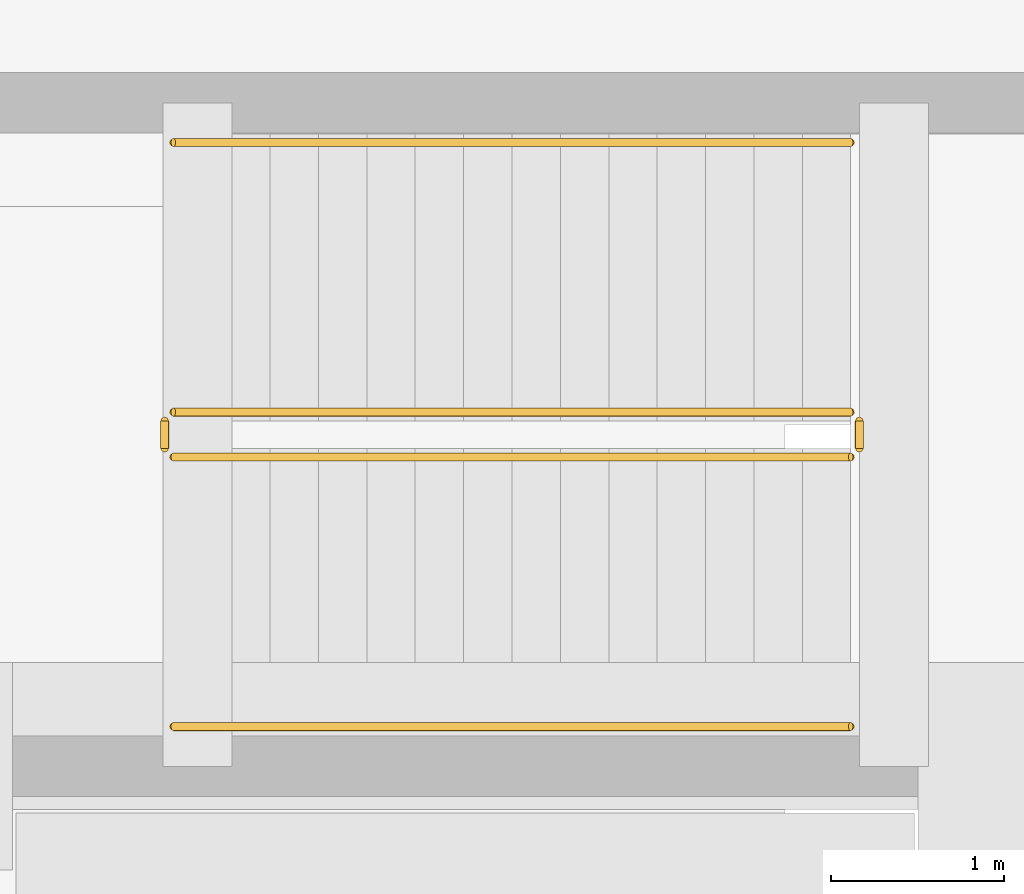
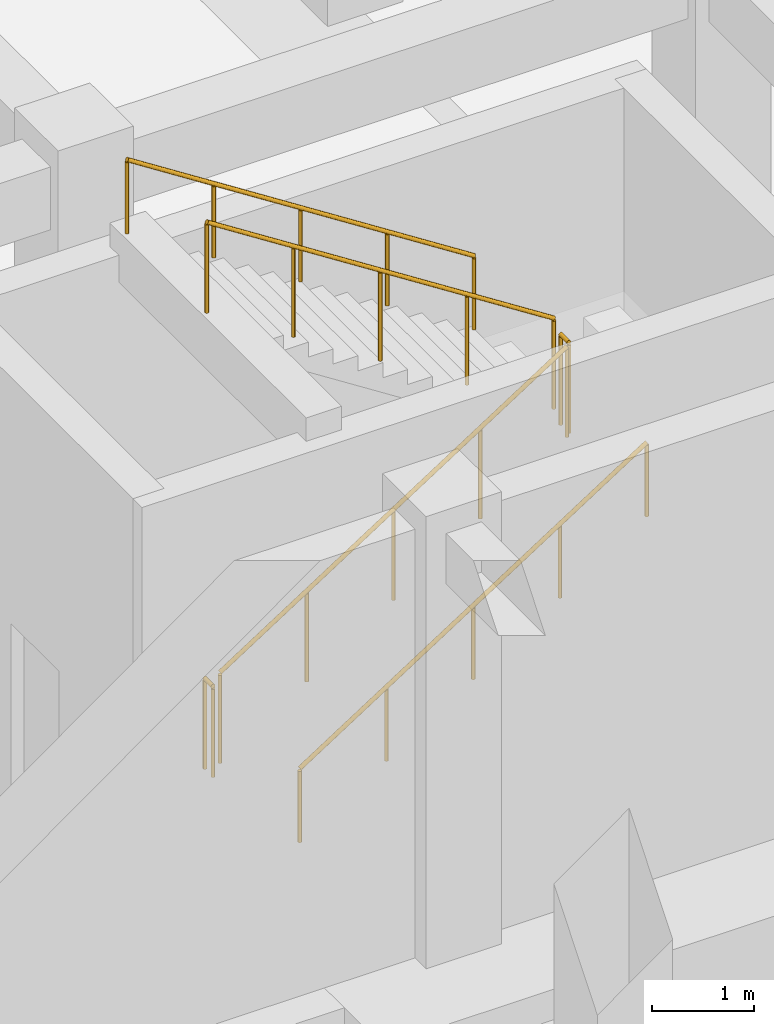
# One storey, part 25 of 26: 6 railings.
"""IFC4 building model written with IfcOpenShell, lengths in metres."""

import ifcopenshell
import ifcopenshell.guid

model = None  # the IFC model being written
_history = None  # IfcOwnerHistory: only IFC2X3 demands one
_inside = {}  # id of a spatial element -> (the spatial element, [elements in it])
_under = {}  # id of a project, library or spatial element -> (it, [spatial elements below it])
_declared = {}  # id of a project -> (the project, [libraries it declares])
_typed = {}  # id of a type object -> (the type object, [elements of that type])
_made_of = {}  # id of a material, layer set ... -> (it, [elements and type objects made of it])


def new_model(schema):
    """Start an empty IFC model of exactly this schema.

    Asked for "IFC4X3", IfcOpenShell would pick the latest addendum, in which some entities
    have other attributes; the version numbers below select the first issue.
    IFC2X3 requires an IfcOwnerHistory on every rooted entity: one is made here for all.
    """
    global model, _history
    if schema == "IFC4X3":
        model = ifcopenshell.file(schema_version=(4, 3, 0, 0))
    else:
        model = ifcopenshell.file(schema=schema)
    _inside.clear()
    _under.clear()
    _declared.clear()
    _typed.clear()
    _made_of.clear()
    _history = None
    if model.schema == "IFC2X3":
        org = make("IfcOrganization", Name="unknown")
        user = make(
            "IfcPersonAndOrganization",
            ThePerson=make("IfcPerson", FamilyName="unknown"),
            TheOrganization=org,
        )
        app = make(
            "IfcApplication",
            ApplicationDeveloper=org,
            Version="unknown",
            ApplicationFullName="unknown",
            ApplicationIdentifier="unknown",
        )
        _history = make(
            "IfcOwnerHistory",
            OwningUser=user,
            OwningApplication=app,
            ChangeAction="ADDED",
            CreationDate=0,
        )
    return model


def make(cls, **values):
    """One entity of the class cls with the attributes given. An attribute that is None is left unset."""
    return model.create_entity(
        cls, **{name: value for name, value in values.items() if value is not None}
    )


def rooted(cls, **values):
    """An entity with a GlobalId (a new one), such as an element, a storey or a relation."""
    return make(cls, GlobalId=ifcopenshell.guid.new(), OwnerHistory=_history, **values)


def si_unit(unit_type, name, prefix=None):
    """IfcSIUnit, for example si_unit("LENGTHUNIT", "METRE", prefix="MILLI")."""
    return make("IfcSIUnit", UnitType=unit_type, Prefix=prefix, Name=name)


def assignment(units):
    """IfcUnitAssignment: the units of a project."""
    return None if units is None else make("IfcUnitAssignment", Units=units)


def point(xyz):
    """IfcCartesianPoint."""
    return None if xyz is None else make("IfcCartesianPoint", Coordinates=xyz)


def direction(xyz):
    """IfcDirection."""
    return None if xyz is None else make("IfcDirection", DirectionRatios=xyz)


def frame(location, z_axis=None, x_axis=None):
    """IfcAxis2Placement3D, a coordinate frame: its origin and axes. An axis left out is left unset."""
    return make(
        "IfcAxis2Placement3D",
        Location=point(location),
        Axis=direction(z_axis),
        RefDirection=direction(x_axis),
    )


def frame_2d(location, x_axis=None):
    """IfcAxis2Placement2D, a coordinate frame in the plane: its origin and x axis."""
    return make(
        "IfcAxis2Placement2D", Location=point(location), RefDirection=direction(x_axis)
    )


def origin():
    """The frame at (0, 0, 0) with its axes left unset."""
    return frame((0.0, 0.0, 0.0))


def origin_2d():
    """The frame at (0, 0) in the plane with its x axis left unset."""
    return frame_2d((0.0, 0.0))


def place(relative_to, where):
    """IfcLocalPlacement: puts the frame where relative to a parent placement (None: the world)."""
    return make(
        "IfcLocalPlacement", PlacementRelTo=relative_to, RelativePlacement=where
    )


def context(
    kind, dimensions, precision=None, world=None, true_north=None, identifier=None
):
    """IfcGeometricRepresentationContext, for example the 3D "Model" context."""
    return make(
        "IfcGeometricRepresentationContext",
        ContextIdentifier=identifier,
        ContextType=kind,
        CoordinateSpaceDimension=dimensions,
        Precision=precision,
        WorldCoordinateSystem=world,
        TrueNorth=true_north,
    )


def subcontext(parent, identifier, kind, view, scale=None):
    """IfcGeometricRepresentationSubContext, for example "Body" below "Model"."""
    return make(
        "IfcGeometricRepresentationSubContext",
        ContextIdentifier=identifier,
        ContextType=kind,
        ParentContext=parent,
        TargetScale=scale,
        TargetView=view,
    )


def project(units=None, contexts=None):
    """IfcProject with its units and contexts."""
    return rooted(
        "IfcProject",
        Name="project",
        RepresentationContexts=contexts,
        UnitsInContext=assignment(units),
    )


def spatial(cls, under=None, at=None, **own):
    """A site, building, storey or space (cls), placed at a placement, below another one or the project."""
    s = rooted(cls, ObjectPlacement=at, **own)
    if under is not None:
        _under.setdefault(under.id(), (under, []))[1].append(s)
    return s


def profile(cls, at=None, kind="AREA", **sizes):
    """A parametric profile (cls). Its sizes go by their IFC names, for example OverallWidth=200.0."""
    return make(cls, ProfileType=kind, Position=at, **sizes)


def circle(**sizes):
    """IfcCircleProfileDef."""
    return profile("IfcCircleProfileDef", **sizes)


def extrude(swept, where, along, depth):
    """IfcExtrudedAreaSolid: the profile swept, set in the frame where, extruded along a direction by depth."""
    return make(
        "IfcExtrudedAreaSolid",
        SweptArea=swept,
        Position=where,
        ExtrudedDirection=direction(along),
        Depth=depth,
    )


def shape(context_of_items, identifier, shape_type, items):
    """IfcShapeRepresentation: the items that make up one representation, for example the "Body"."""
    return make(
        "IfcShapeRepresentation",
        ContextOfItems=context_of_items,
        RepresentationIdentifier=identifier,
        RepresentationType=shape_type,
        Items=items,
    )


def material(Name=None, Category=None):
    """IfcMaterial."""
    return make("IfcMaterial", Name=Name, Category=Category)


def made_of(thing, what):
    """Note that an element or type object is made of a material, layer set ...; save() writes the relation."""
    if what is not None:
        _made_of.setdefault(what.id(), (what, []))[1].append(thing)
    return thing


def type_object(cls, material=None, **own):
    """A type object (cls), such as IfcWallType, which elements share."""
    return made_of(rooted(cls, **own), material)


def element(
    cls,
    number,
    at=None,
    inside=None,
    cuts=None,
    type_object=None,
    material=None,
    context=None,
    identifier="Body",
    shape_type=None,
    held_by="IfcProductDefinitionShape",
    body=None,
    shapes=None,
    **own,
):
    """One element of the class cls, such as IfcWall. Its Tag is "e" and its number.

    at: its placement. inside: the storey or other place that contains it. cuts: it is an
    opening in that element (IfcRelVoidsElement). A single representation is given by context,
    identifier, shape_type and body (its items); several are given by shapes. held_by: the class
    of the entity that holds the representations. save() writes the other relations.
    """
    e = rooted(cls, Tag="e%d" % number, ObjectPlacement=at, **own)
    if body is not None:
        shapes = [shape(context, identifier, shape_type, body)]
    if shapes is not None:
        e.Representation = make(held_by, Representations=shapes)
    if inside is not None:
        _inside.setdefault(inside.id(), (inside, []))[1].append(e)
    if cuts is not None:
        rooted(
            "IfcRelVoidsElement", RelatingBuildingElement=cuts, RelatedOpeningElement=e
        )
    if type_object is not None:
        _typed.setdefault(type_object.id(), (type_object, []))[1].append(e)
    return made_of(e, material)


def aggregate(whole, parts):
    """IfcRelAggregates: a whole, such as a stair, and the parts it consists of."""
    return rooted("IfcRelAggregates", RelatingObject=whole, RelatedObjects=parts)


def save(model, path):
    """Write the relations noted so far, then the file.

    IfcRelAggregates (storeys below a building ...), IfcRelContainedInSpatialStructure (elements
    in a storey), IfcRelDefinesByType, IfcRelAssociatesMaterial and IfcRelDeclares: one each for
    every whole, place, type object, material and project.
    """
    for whole, parts in _under.values():
        aggregate(whole, parts)
    for where, things in _inside.values():
        rooted(
            "IfcRelContainedInSpatialStructure",
            RelatedElements=things,
            RelatingStructure=where,
        )
    for kind, things in _typed.values():
        rooted("IfcRelDefinesByType", RelatedObjects=things, RelatingType=kind)
    for what, things in _made_of.values():
        rooted("IfcRelAssociatesMaterial", RelatedObjects=things, RelatingMaterial=what)
    for by, libraries in _declared.values():
        rooted("IfcRelDeclares", RelatingContext=by, RelatedDefinitions=libraries)
    model.write(path)


model = new_model("IFC4")

# Units and contexts
model_context = context("Model", 3, precision=1e-05, world=origin(), true_north=direction((0.0, 1.0)))
body_context = subcontext(model_context, "Body", "Model", "MODEL_VIEW")
ifc_project = project(units=[si_unit("LENGTHUNIT", "METRE"), si_unit("AREAUNIT", "SQUARE_METRE"), si_unit("VOLUMEUNIT", "CUBIC_METRE"), si_unit("PLANEANGLEUNIT", "RADIAN"), si_unit("MASSUNIT", "GRAM", prefix="KILO")], contexts=[model_context])

# Site, building, storey
site_placement = place(None, origin())
site = spatial("IfcSite", under=ifc_project, at=site_placement, CompositionType="ELEMENT")
building_placement = place(site_placement, origin())
building = spatial("IfcBuilding", under=site, at=building_placement, Name="Kazehaya Institute of Natural Sciences", CompositionType="ELEMENT")
storey_placement = place(building_placement, frame((0.0, 0.0, -5.39990234375)))
storey = spatial("IfcBuildingStorey", under=building, at=storey_placement, Name="B1", CompositionType="ELEMENT", Elevation=-5.39990234375)

# Railings
ifc_material_1 = material(Name="Structural steel SN490B", Category="steel")
railing_type_1 = type_object("IfcRailingType", Name="RL-STAIR-GRD", PredefinedType="GUARDRAIL", material=ifc_material_1)
railing_1_placement = place(storey_placement, frame((154.860107421875, 10.2099609375, 0.179931640625)))
element("IfcRailing", 1, at=railing_1_placement, inside=storey, type_object=railing_type_1, Name="B1 ST-5 stair guard 1", PredefinedType="GUARDRAIL", context=body_context, shape_type="SweptSolid", body=[
    extrude(circle(Radius=0.02392578125, at=origin_2d()), frame((0.0, 0.0, 1.076171875), z_axis=(0.841171666519, 0.0, 0.540768182723), x_axis=(0.0, 1.0, 0.0)), (0.0, 0.0, 1.0), 4.66015625),
    extrude(circle(Radius=0.02099609375, at=origin_2d()), origin(), (0.0, 0.0, 1.0), 1.052001953125),
    extrude(circle(Radius=0.02099609375, at=origin_2d()), frame((0.97998046875, 0.0, 0.6298828125)), (0.0, 0.0, 1.0), 1.052001953125),
    extrude(circle(Radius=0.02099609375, at=origin_2d()), frame((1.9599609375, 0.0, 1.260009765625)), (0.0, 0.0, 1.0), 1.052001953125),
    extrude(circle(Radius=0.02099609375, at=origin_2d()), frame((2.93994140625, 0.0, 1.89013671875)), (0.0, 0.0, 1.0), 1.052001953125),
    extrude(circle(Radius=0.02099609375, at=origin_2d()), frame((3.919921875, 0.0, 2.52001953125)), (0.0, 0.0, 1.0), 1.052001953125),
])
railing_2_placement = place(storey_placement, frame((158.830078125, 10.260009765625, 2.699951171875)))
element("IfcRailing", 2, at=railing_2_placement, inside=storey, type_object=railing_type_1, Name="B1 ST-5 stair guard 2", PredefinedType="GUARDRAIL", context=body_context, shape_type="SweptSolid", body=[
    extrude(circle(Radius=0.02392578125, at=origin_2d()), frame((0.0, 0.0, 1.076171875), z_axis=(0.0, 1.0, 0.0), x_axis=(-1.0, 0.0, 0.0)), (0.0, 0.0, 1.0), 0.159912109375),
    extrude(circle(Radius=0.02099609375, at=origin_2d()), origin(), (0.0, 0.0, 1.0), 1.052001953125),
    extrude(circle(Radius=0.02099609375, at=origin_2d()), frame((0.0, 0.159912109375, 0.0)), (0.0, 0.0, 1.0), 1.052001953125),
])
railing_3_placement = place(storey_placement, frame((158.780029296875, 10.469970703125, 2.8798828125)))
element("IfcRailing", 3, at=railing_3_placement, inside=storey, type_object=railing_type_1, Name="B1 ST-5 stair guard 3", PredefinedType="GUARDRAIL", context=body_context, shape_type="SweptSolid", body=[
    extrude(circle(Radius=0.02392578125, at=origin_2d()), frame((0.0, 0.0, 1.076171875), z_axis=(-0.841171666519, 0.0, 0.540768182723), x_axis=(0.0, -1.0, 0.0)), (0.0, 0.0, 1.0), 4.66015625),
    extrude(circle(Radius=0.02099609375, at=origin_2d()), origin(), (0.0, 0.0, 1.0), 1.052001953125),
    extrude(circle(Radius=0.02099609375, at=origin_2d()), frame((-0.97998046875, 0.0, 0.6298828125)), (0.0, 0.0, 1.0), 1.052001953125),
    extrude(circle(Radius=0.02099609375, at=origin_2d()), frame((-1.9599609375, 0.0, 1.260009765625)), (0.0, 0.0, 1.0), 1.052001953125),
    extrude(circle(Radius=0.02099609375, at=origin_2d()), frame((-2.93994140625, 0.0, 1.89013671875)), (0.0, 0.0, 1.0), 1.052001953125),
    extrude(circle(Radius=0.02099609375, at=origin_2d()), frame((-3.919921875, 0.0, 2.52001953125)), (0.0, 0.0, 1.0), 1.052001953125),
])
railing_4_placement = place(storey_placement, frame((154.81005859375, 10.260009765625, 0.0)))
element("IfcRailing", 4, at=railing_4_placement, inside=storey, type_object=railing_type_1, Name="B1 ST-5 stair guard 4", PredefinedType="GUARDRAIL", context=body_context, shape_type="SweptSolid", body=[
    extrude(circle(Radius=0.02392578125, at=origin_2d()), frame((0.0, 0.0, 1.076171875), z_axis=(0.0, 1.0, 0.0), x_axis=(-1.0, 0.0, 0.0)), (0.0, 0.0, 1.0), 0.159912109375),
    extrude(circle(Radius=0.02099609375, at=origin_2d()), origin(), (0.0, 0.0, 1.0), 1.052001953125),
    extrude(circle(Radius=0.02099609375, at=origin_2d()), frame((0.0, 0.159912109375, 0.0)), (0.0, 0.0, 1.0), 1.052001953125),
])
ifc_material_2 = material(Name="Brushed stainless steel handrail", Category="steel")
railing_type_2 = type_object("IfcRailingType", Name="RL-STAIR-HND", PredefinedType="HANDRAIL", material=ifc_material_2)
railing_5_placement = place(storey_placement, frame((154.860107421875, 8.64990234375, 0.179931640625)))
element("IfcRailing", 5, at=railing_5_placement, inside=storey, type_object=railing_type_2, Name="B1 ST-5 stair handrail 1", PredefinedType="HANDRAIL", context=body_context, shape_type="SweptSolid", body=[
    extrude(circle(Radius=0.02392578125, at=origin_2d()), frame((0.0, 0.0, 0.8759765625), z_axis=(0.841171666519, 0.0, 0.540768182723), x_axis=(0.0, 1.0, 0.0)), (0.0, 0.0, 1.0), 4.66015625),
    extrude(circle(Radius=0.02099609375, at=origin_2d()), origin(), (0.0, 0.0, 1.0), 0.851806640625),
    extrude(circle(Radius=0.02099609375, at=origin_2d()), frame((0.97998046875, 0.0, 0.6298828125)), (0.0, 0.0, 1.0), 0.851806640625),
    extrude(circle(Radius=0.02099609375, at=origin_2d()), frame((1.9599609375, 0.0, 1.260009765625)), (0.0, 0.0, 1.0), 0.851806640625),
    extrude(circle(Radius=0.02099609375, at=origin_2d()), frame((2.93994140625, 0.0, 1.89013671875)), (0.0, 0.0, 1.0), 0.851806640625),
    extrude(circle(Radius=0.02099609375, at=origin_2d()), frame((3.919921875, 0.0, 2.52001953125)), (0.0, 0.0, 1.0), 0.851806640625),
])
railing_6_placement = place(storey_placement, frame((158.780029296875, 12.030029296875, 2.8798828125)))
element("IfcRailing", 6, at=railing_6_placement, inside=storey, type_object=railing_type_2, Name="B1 ST-5 stair handrail 2", PredefinedType="HANDRAIL", context=body_context, shape_type="SweptSolid", body=[
    extrude(circle(Radius=0.02392578125, at=origin_2d()), frame((0.0, 0.0, 0.8759765625), z_axis=(-0.841171666519, 0.0, 0.540768182723), x_axis=(0.0, -1.0, 0.0)), (0.0, 0.0, 1.0), 4.66015625),
    extrude(circle(Radius=0.02099609375, at=origin_2d()), origin(), (0.0, 0.0, 1.0), 0.851806640625),
    extrude(circle(Radius=0.02099609375, at=origin_2d()), frame((-0.97998046875, 0.0, 0.6298828125)), (0.0, 0.0, 1.0), 0.851806640625),
    extrude(circle(Radius=0.02099609375, at=origin_2d()), frame((-1.9599609375, 0.0, 1.260009765625)), (0.0, 0.0, 1.0), 0.851806640625),
    extrude(circle(Radius=0.02099609375, at=origin_2d()), frame((-2.93994140625, 0.0, 1.89013671875)), (0.0, 0.0, 1.0), 0.851806640625),
    extrude(circle(Radius=0.02099609375, at=origin_2d()), frame((-3.919921875, 0.0, 2.52001953125)), (0.0, 0.0, 1.0), 0.851806640625),
])

save(model, "model.ifc")
